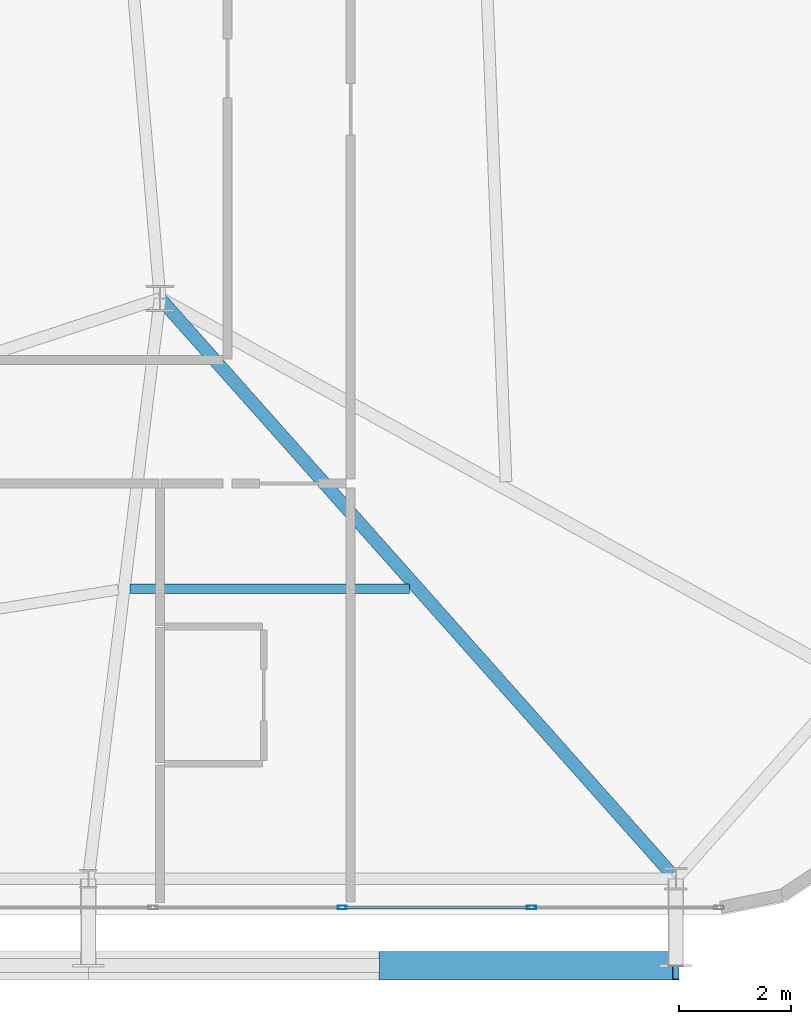
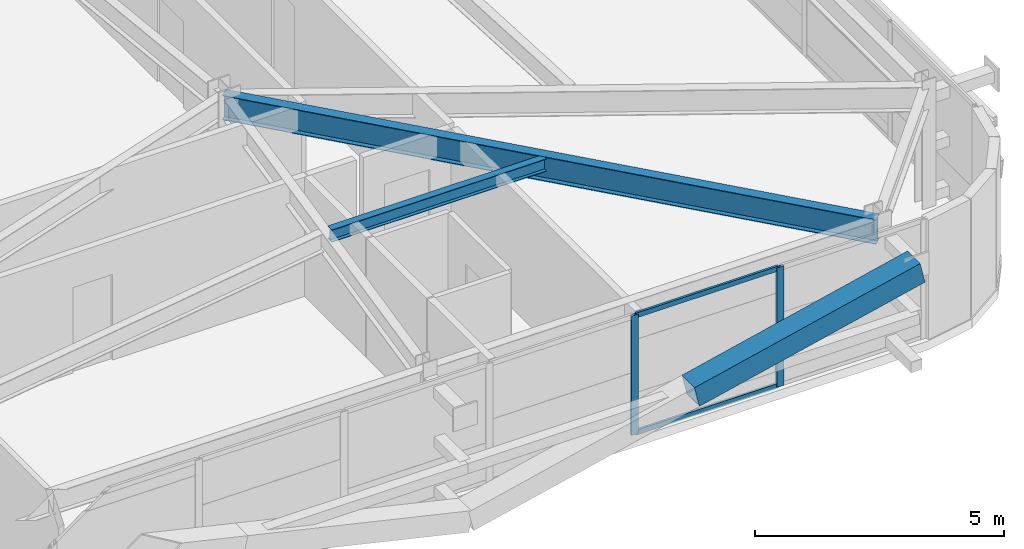
# One storey, part 23 of 58: 5 members, 2 beams, 1 element without a shape of its own.
"""IFC4 building model written with IfcOpenShell, lengths in metres."""

from ifc_helpers import new_model, si_unit, direction, frame, origin, origin_2d, place, context, subcontext, project, spatial, hollow_rectangle, i_section, extrude, source, transform, mapped, material, layer, layer_set, material_profile, profile_set, type_object, element, aggregate, save


model = new_model("IFC4")

# Units and contexts
model_context = context("Model", 3, precision=1e-05, world=origin(), true_north=direction((0.0, 1.0)))
body_context = subcontext(model_context, "Body", "Model", "MODEL_VIEW")
ifc_project = project(units=[si_unit("LENGTHUNIT", "METRE"), si_unit("AREAUNIT", "SQUARE_METRE"), si_unit("VOLUMEUNIT", "CUBIC_METRE"), si_unit("PLANEANGLEUNIT", "RADIAN"), si_unit("MASSUNIT", "GRAM", prefix="KILO")], contexts=[model_context])

# Site, building, storey
site_placement = place(None, origin())
site = spatial("IfcSite", under=ifc_project, at=site_placement, CompositionType="ELEMENT")
building_placement = place(site_placement, origin())
building = spatial("IfcBuilding", under=site, at=building_placement, Name="Taldren Reach Tower", CompositionType="ELEMENT")
storey_placement = place(building_placement, frame((0.0, 0.0, 35.699951171875)))
storey = spatial("IfcBuildingStorey", under=building, at=storey_placement, Name="L10", CompositionType="ELEMENT", Elevation=35.699951171875)

# Beams
ifc_material_1 = material(Name="Steel Gr 350 (350PLUS)", Category="steel")
ifc_material_profile_1 = material_profile(ifc_material_1, i_section(OverallWidth=0.22802734375, OverallDepth=0.60205078125, WebThickness=0.010498046875, FlangeThickness=0.014892578125, at=origin_2d()), Name="610UB101")
ifc_profile_set_1 = profile_set([ifc_material_profile_1], Name="Steel Gr 350 (350PLUS)")
beam_type_1 = type_object("IfcBeamType", Name="BM-UB610B", PredefinedType="BEAM", material=ifc_profile_set_1)
shared_shape_1 = source(origin(), body_context, "Body", "SweptSolid", [
    extrude(i_section(OverallWidth=0.22802734375, OverallDepth=0.60205078125, WebThickness=0.010498046875, FlangeThickness=0.014892578125, at=origin_2d()), origin(), (0.0, 0.0, 1.0), 13.847900390625),
])
beam_1_placement = place(storey_placement, frame((52.0, 12.5, 2.629150390625), z_axis=(0.664358367375, -0.747414182164, 0.0), x_axis=(0.747414182164, 0.664358367375, 0.0)))
element("IfcBeam", 1, at=beam_1_placement, inside=storey, type_object=beam_type_1, Name="Primary floor girder B1-S6 L10", PredefinedType="BEAM", context=body_context, shape_type="MappedRepresentation", body=[
    mapped(shared_shape_1, transform((0.0, 0.0, 0.0), scale=1.0)),
])
ifc_material_2 = material(Name="Steel Gr 300 (300PLUS, 300 MPa)", Category="steel")
ifc_material_profile_2 = material_profile(ifc_material_2, i_section(OverallWidth=0.166015625, OverallDepth=0.306884765625, WebThickness=0.006591796875, FlangeThickness=0.01171875, at=origin_2d()), Name="310UB46.2")
ifc_profile_set_2 = profile_set([ifc_material_profile_2], Name="Steel Gr 300 (300PLUS, 300 MPa)")
beam_type_2 = type_object("IfcBeamType", Name="JS-UB310", PredefinedType="JOIST", material=ifc_profile_set_2)
shared_shape_2 = source(origin(), body_context, "Body", "SweptSolid", [
    extrude(i_section(OverallWidth=0.166015625, OverallDepth=0.306884765625, WebThickness=0.006591796875, FlangeThickness=0.01171875, at=origin_2d()), origin(), (0.0, 0.0, 1.0), 4.982177734375),
])
beam_2_placement = place(storey_placement, frame((51.46533203125, 7.324951171875, 2.776611328125), z_axis=(1.0, 0.0, 0.0), x_axis=(0.0, 1.0, 0.0)))
element("IfcBeam", 2, at=beam_2_placement, inside=storey, type_object=beam_type_2, Name="Secondary floor joist B1 J5 L10", PredefinedType="JOIST", context=body_context, shape_type="MappedRepresentation", body=[
    mapped(shared_shape_2, transform((0.0, 0.0, 0.0), scale=1.0)),
])

# Member
ifc_material_3 = material(Name="Steel Gr 450 (C450L0)", Category="steel")
ifc_material_profile_3 = material_profile(ifc_material_3, hollow_rectangle(XDim=0.510009765625, YDim=0.510009765625, WallThickness=0.02001953125, at=origin_2d()), Name="510x510x20.0SHS")
ifc_profile_set_3 = profile_set([ifc_material_profile_3], Name="Steel Gr 450 (C450L0)")
member_type_1 = type_object("IfcMemberType", Name="MB-EXO508", PredefinedType="BRACE", material=ifc_profile_set_3)
shared_shape_3 = source(origin(), body_context, "Body", "SweptSolid", [
    extrude(hollow_rectangle(XDim=0.510009765625, YDim=0.510009765625, WallThickness=0.02001953125, at=origin_2d()), origin(), (0.0, 0.0, 1.0), 5.37890625),
])
member_1_placement = place(storey_placement, frame((55.9599609375, 0.60009765625, 1.43505859375), z_axis=(0.97415197996, 0.0, 0.225893603143), x_axis=(0.0, 1.0, 0.0)))
element("IfcMember", 3, at=member_1_placement, inside=storey, type_object=member_type_1, Name="Exoskeleton Diagrid Brace B1-S5 L10", PredefinedType="BRACE", context=body_context, shape_type="MappedRepresentation", body=[
    mapped(shared_shape_3, transform((0.0, 0.0, 0.0), scale=1.0)),
])

# Curtain wall, members
ifc_material_4 = material(Name="Aluminium and Low-E Glass Unitised System", Category="aluminium")
ifc_layer = layer(ifc_material_4, 0.159912109375)
ifc_layer_set = layer_set([ifc_layer], Name="Aluminium and Low-E Glass Unitised System")
curtain_wall_type = type_object("IfcCurtainWallType", Name="CW-SYS-2", PredefinedType="NOTDEFINED", material=ifc_layer_set)
curtain_wall_placement = place(storey_placement, origin())
curtain_wall = element("IfcCurtainWall", 4, at=curtain_wall_placement, inside=storey, type_object=curtain_wall_type, Name="Unitised curtain wall CW-L10-S", PredefinedType="NOTDEFINED")
ifc_material_5 = material(Name="Anodised Aluminium 6063-T6", Category="aluminium")
ifc_material_profile_4 = material_profile(ifc_material_5, hollow_rectangle(XDim=0.06494140625, YDim=0.1650390625, WallThickness=0.00390625, at=origin_2d()), Name="ALU-165x65x4RHS")
ifc_profile_set_4 = profile_set([ifc_material_profile_4], Name="Anodised Aluminium 6063-T6")
member_type_2 = type_object("IfcMemberType", Name="CW-MUL-165", PredefinedType="MULLION", material=ifc_profile_set_4)
shared_shape_4 = source(origin(), body_context, "Body", "SweptSolid", [
    extrude(hollow_rectangle(XDim=0.06494140625, YDim=0.1650390625, WallThickness=0.00390625, at=origin_2d()), origin(), (0.0, 0.0, 1.0), 2.929931640625),
])
member_2_placement = place(storey_placement, frame((55.25, 1.639892578125, 0.0), z_axis=(0.0, 0.0, 1.0), x_axis=(0.0, 1.0, 0.0)))
member_2 = element("IfcMember", 5, at=member_2_placement, type_object=member_type_2, Name="CW-2 mullion 15", PredefinedType="MULLION", context=body_context, shape_type="MappedRepresentation", body=[
    mapped(shared_shape_4, transform((0.0, 0.0, 0.0), scale=1.0)),
])
member_3_placement = place(storey_placement, frame((58.625, 1.639892578125, 0.0), z_axis=(0.0, 0.0, 1.0), x_axis=(0.0, 1.0, 0.0)))
member_3 = element("IfcMember", 6, at=member_3_placement, type_object=member_type_2, Name="CW-2 mullion 16", PredefinedType="MULLION", context=body_context, shape_type="MappedRepresentation", body=[
    mapped(shared_shape_4, transform((0.0, 0.0, 0.0), scale=1.0)),
])
ifc_material_profile_5 = material_profile(ifc_material_5, hollow_rectangle(XDim=0.054931640625, YDim=0.1201171875, WallThickness=0.0029296875, at=origin_2d()), Name="ALU-120x55x3RHS")
ifc_profile_set_5 = profile_set([ifc_material_profile_5], Name="Anodised Aluminium 6063-T6")
member_type_3 = type_object("IfcMemberType", Name="CW-TRN-135", PredefinedType="USERDEFINED", material=ifc_profile_set_5)
shared_shape_5 = source(origin(), body_context, "Body", "SweptSolid", [
    extrude(hollow_rectangle(XDim=0.054931640625, YDim=0.1201171875, WallThickness=0.0029296875, at=origin_2d()), origin(), (0.0, 0.0, 1.0), 3.31005859375),
])
member_4_placement = place(storey_placement, frame((55.282470703125, 1.639892578125, 0.027587890625), z_axis=(1.0, 0.0, 0.0), x_axis=(0.0, 1.0, 0.0)))
member_4 = element("IfcMember", 7, at=member_4_placement, type_object=member_type_3, Name="CW-2 transom 15.1", ObjectType="TRANSOM", PredefinedType="USERDEFINED", context=body_context, shape_type="MappedRepresentation", body=[
    mapped(shared_shape_5, transform((0.0, 0.0, 0.0), scale=1.0)),
])
member_5_placement = place(storey_placement, frame((55.282470703125, 1.639892578125, 2.902587890625), z_axis=(1.0, 0.0, 0.0), x_axis=(0.0, 1.0, 0.0)))
member_5 = element("IfcMember", 8, at=member_5_placement, type_object=member_type_3, Name="CW-2 transom 15.2", ObjectType="TRANSOM", PredefinedType="USERDEFINED", context=body_context, shape_type="MappedRepresentation", body=[
    mapped(shared_shape_5, transform((0.0, 0.0, 0.0), scale=1.0)),
])
aggregate(curtain_wall, [member_2, member_3, member_4, member_5])

save(model, "model.ifc")
